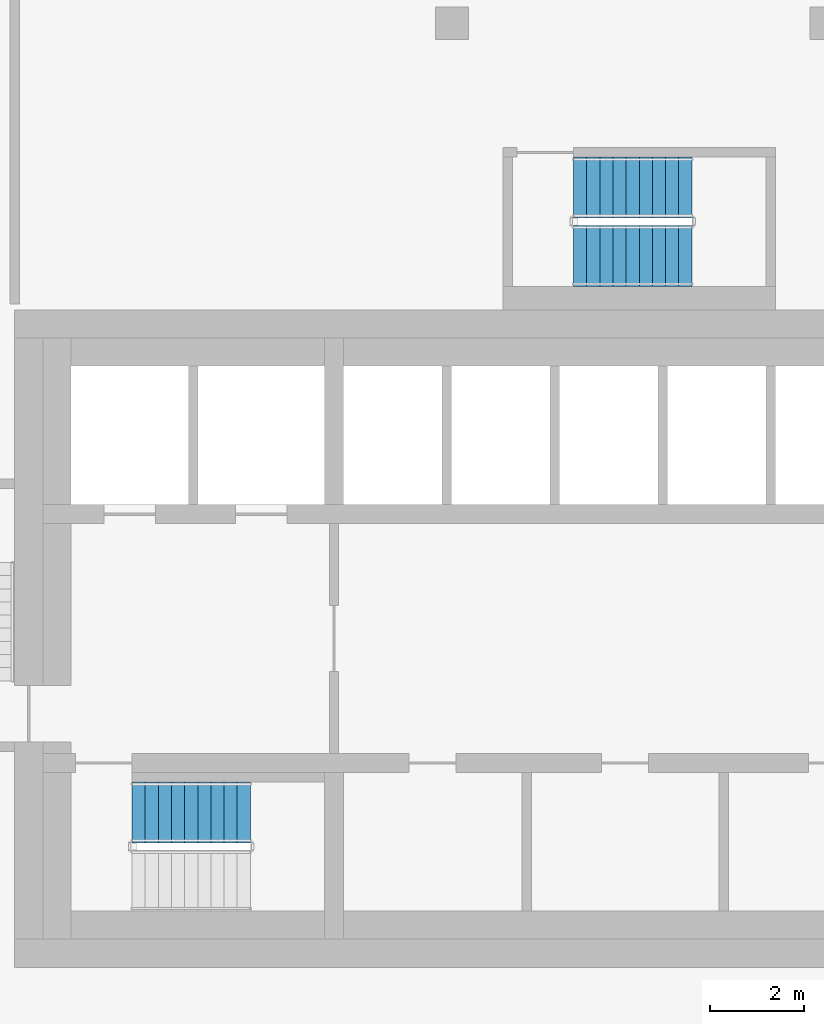
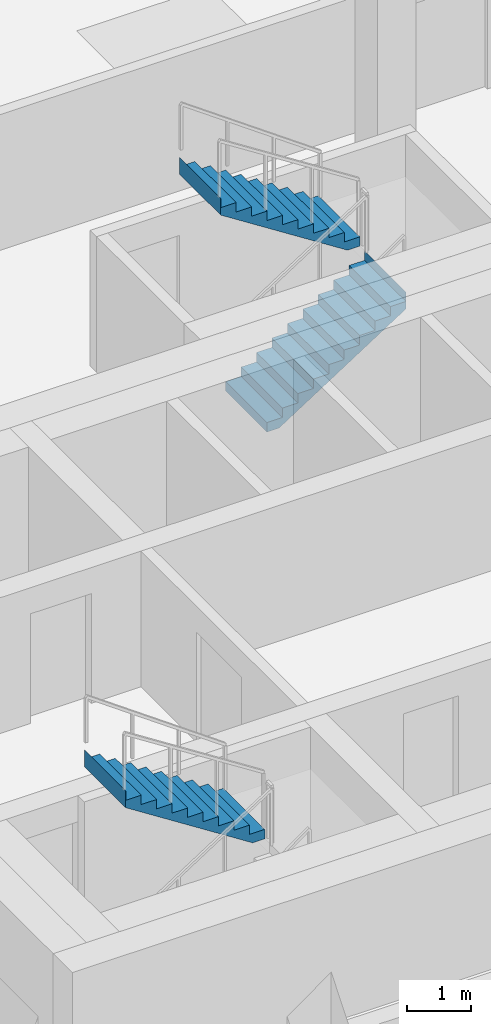
# One storey, part 18 of 24: 3 stair flights, 2 elements without a shape of their own.
"""IFC4 building model written with IfcOpenShell, lengths in metres."""

from ifc_helpers import new_model, si_unit, direction, frame, origin, place, context, subcontext, project, spatial, triangles, material, type_object, element, aggregate, save


model = new_model("IFC4")

# Units and contexts
model_context = context("Model", 3, precision=1e-05, world=origin(), true_north=direction((0.0, 1.0)))
body_context = subcontext(model_context, "Body", "Model", "MODEL_VIEW")
ifc_project = project(units=[si_unit("LENGTHUNIT", "METRE"), si_unit("AREAUNIT", "SQUARE_METRE"), si_unit("VOLUMEUNIT", "CUBIC_METRE"), si_unit("PLANEANGLEUNIT", "RADIAN"), si_unit("MASSUNIT", "GRAM", prefix="KILO")], contexts=[model_context])

# Site, building, storey
site_placement = place(None, origin())
site = spatial("IfcSite", under=ifc_project, at=site_placement, CompositionType="ELEMENT")
building_placement = place(site_placement, origin())
building = spatial("IfcBuilding", under=site, at=building_placement, Name="Beryl Residences", CompositionType="ELEMENT")
storey_placement = place(building_placement, frame((0.0, 0.0, 199.199951171875)))
storey = spatial("IfcBuildingStorey", under=building, at=storey_placement, Name="L61", CompositionType="ELEMENT", Elevation=199.199951171875)

# Stair, stair flight
ifc_material_1 = material(Name="Concrete C40/50", Category="concrete")
stair_type = type_object("IfcStairType", Name="ST1 protected exit stair, half-turn, 1300 mm flights", PredefinedType="HALF_TURN_STAIR", material=ifc_material_1)
stair_1_placement = place(storey_placement, origin())
stair_1 = element("IfcStair", 1, at=stair_1_placement, inside=storey, type_object=stair_type, Name="L61 PROTECTED EXIT STAIR ST-1", PredefinedType="HALF_TURN_STAIR")
ifc_material_2 = material(Name="Concrete C40/50", Category="concrete")
stair_flight_type = type_object("IfcStairFlightType", Name="SF1 stair flight 1300 mm", PredefinedType="STRAIGHT", material=ifc_material_2)
stair_flight_1_placement = place(storey_placement, frame((-8.280029296875, -15.699951171875, 1.800048828125), z_axis=(0.0, 0.0, 1.0), x_axis=(-1.0, 0.0, 0.0)))
stair_flight_1 = element("IfcStairFlight", 2, at=stair_flight_1_placement, type_object=stair_flight_type, Name="ST-1 flight 2", NumberOfRisers=10, NumberOfTreads=9, PredefinedType="STRAIGHT", RiserHeight=0.18, TreadLength=0.28, context=body_context, shape_type="Tessellation", body=[
    triangles([(0.0, -0.64990234375, 0.0), (0.0, -0.324951171875, 0.0), (0.0, 0.0, 0.0), (0.0, 0.324951171875, 0.0), (0.0, 0.64990234375, 0.0), (0.0, -0.64990234375, 0.179931640625), (0.0, -0.324951171875, 0.179931640625), (0.0, 0.0, 0.179931640625), (0.0, 0.324951171875, 0.179931640625), (0.0, 0.64990234375, 0.179931640625), (0.280029296875, -0.64990234375, 0.179931640625), (0.280029296875, -0.324951171875, 0.179931640625), (0.280029296875, 0.0, 0.179931640625), (0.280029296875, 0.324951171875, 0.179931640625), (0.280029296875, 0.64990234375, 0.179931640625), (0.280029296875, -0.64990234375, 0.360107421875), (0.280029296875, -0.324951171875, 0.360107421875), (0.280029296875, 0.0, 0.360107421875), (0.280029296875, 0.324951171875, 0.360107421875), (0.280029296875, 0.64990234375, 0.360107421875), (0.56005859375, -0.64990234375, 0.360107421875), (0.56005859375, -0.324951171875, 0.360107421875), (0.56005859375, 0.0, 0.360107421875), (0.56005859375, 0.324951171875, 0.360107421875), (0.56005859375, 0.64990234375, 0.360107421875), (0.56005859375, -0.64990234375, 0.5400390625), (0.56005859375, -0.324951171875, 0.5400390625), (0.56005859375, 0.0, 0.5400390625), (0.56005859375, 0.324951171875, 0.5400390625), (0.56005859375, 0.64990234375, 0.5400390625), (0.840087890625, -0.64990234375, 0.5400390625), (0.840087890625, -0.324951171875, 0.5400390625), (0.840087890625, 0.0, 0.5400390625), (0.840087890625, 0.324951171875, 0.5400390625), (0.840087890625, 0.64990234375, 0.5400390625), (0.840087890625, -0.64990234375, 0.719970703125), (0.840087890625, -0.324951171875, 0.719970703125), (0.840087890625, 0.0, 0.719970703125), (0.840087890625, 0.324951171875, 0.719970703125), (0.840087890625, 0.64990234375, 0.719970703125), (1.1201171875, -0.64990234375, 0.719970703125), (1.1201171875, -0.324951171875, 0.719970703125), (1.1201171875, 0.0, 0.719970703125), (1.1201171875, 0.324951171875, 0.719970703125), (1.1201171875, 0.64990234375, 0.719970703125), (1.1201171875, -0.64990234375, 0.89990234375), (1.1201171875, -0.324951171875, 0.89990234375), (1.1201171875, 0.0, 0.89990234375), (1.1201171875, 0.324951171875, 0.89990234375), (1.1201171875, 0.64990234375, 0.89990234375), (1.39990234375, -0.64990234375, 0.89990234375), (1.39990234375, -0.324951171875, 0.89990234375), (1.39990234375, 0.0, 0.89990234375), (1.39990234375, 0.324951171875, 0.89990234375), (1.39990234375, 0.64990234375, 0.89990234375), (1.39990234375, -0.64990234375, 1.080078125), (1.39990234375, -0.324951171875, 1.080078125), (1.39990234375, 0.0, 1.080078125), (1.39990234375, 0.324951171875, 1.080078125), (1.39990234375, 0.64990234375, 1.080078125), (1.679931640625, -0.64990234375, 1.080078125), (1.679931640625, -0.324951171875, 1.080078125), (1.679931640625, 0.0, 1.080078125), (1.679931640625, 0.324951171875, 1.080078125), (1.679931640625, 0.64990234375, 1.080078125), (1.679931640625, -0.64990234375, 1.260009765625), (1.679931640625, -0.324951171875, 1.260009765625), (1.679931640625, 0.0, 1.260009765625), (1.679931640625, 0.324951171875, 1.260009765625), (1.679931640625, 0.64990234375, 1.260009765625), (1.9599609375, -0.64990234375, 1.260009765625), (1.9599609375, -0.324951171875, 1.260009765625), (1.9599609375, 0.0, 1.260009765625), (1.9599609375, 0.324951171875, 1.260009765625), (1.9599609375, 0.64990234375, 1.260009765625), (1.9599609375, -0.64990234375, 1.43994140625), (1.9599609375, -0.324951171875, 1.43994140625), (1.9599609375, 0.0, 1.43994140625), (1.9599609375, 0.324951171875, 1.43994140625), (1.9599609375, 0.64990234375, 1.43994140625), (2.239990234375, -0.64990234375, 1.43994140625), (2.239990234375, -0.324951171875, 1.43994140625), (2.239990234375, 0.0, 1.43994140625), (2.239990234375, 0.324951171875, 1.43994140625), (2.239990234375, 0.64990234375, 1.43994140625), (2.239990234375, -0.64990234375, 1.6201171875), (2.239990234375, -0.324951171875, 1.6201171875), (2.239990234375, 0.0, 1.6201171875), (2.239990234375, 0.324951171875, 1.6201171875), (2.239990234375, 0.64990234375, 1.6201171875), (2.52001953125, -0.64990234375, 1.6201171875), (2.52001953125, -0.324951171875, 1.6201171875), (2.52001953125, 0.0, 1.6201171875), (2.52001953125, 0.324951171875, 1.6201171875), (2.52001953125, 0.64990234375, 1.6201171875), (2.52001953125, -0.64990234375, 1.800048828125), (2.52001953125, -0.324951171875, 1.800048828125), (2.52001953125, 0.0, 1.800048828125), (2.52001953125, 0.324951171875, 1.800048828125), (2.52001953125, 0.64990234375, 1.800048828125), (2.52099609375, -0.64990234375, 1.800048828125), (2.52099609375, -0.324951171875, 1.800048828125), (2.52099609375, 0.0, 1.800048828125), (2.52099609375, 0.324951171875, 1.800048828125), (2.52099609375, 0.64990234375, 1.800048828125), (2.52099609375, -0.64990234375, 1.477294921875), (2.52099609375, -0.324951171875, 1.477294921875), (2.52099609375, 0.0, 1.477294921875), (2.52099609375, 0.324951171875, 1.477294921875), (2.52099609375, 0.64990234375, 1.477294921875), (0.22314453125, -0.64990234375, 0.0), (0.22314453125, -0.324951171875, 0.0), (0.22314453125, 0.0, 0.0), (0.22314453125, 0.324951171875, 0.0), (0.22314453125, 0.64990234375, 0.0)], [[1, 6, 7], [1, 7, 2], [2, 7, 8], [2, 8, 3], [3, 8, 9], [3, 9, 4], [4, 9, 10], [4, 10, 5], [6, 11, 12], [6, 12, 7], [7, 12, 13], [7, 13, 8], [8, 13, 14], [8, 14, 9], [9, 14, 15], [9, 15, 10], [11, 16, 17], [11, 17, 12], [12, 17, 18], [12, 18, 13], [13, 18, 19], [13, 19, 14], [14, 19, 20], [14, 20, 15], [16, 21, 22], [16, 22, 17], [17, 22, 23], [17, 23, 18], [18, 23, 24], [18, 24, 19], [19, 24, 25], [19, 25, 20], [21, 26, 27], [21, 27, 22], [22, 27, 28], [22, 28, 23], [23, 28, 29], [23, 29, 24], [24, 29, 30], [24, 30, 25], [26, 31, 32], [26, 32, 27], [27, 32, 33], [27, 33, 28], [28, 33, 34], [28, 34, 29], [29, 34, 35], [29, 35, 30], [31, 36, 37], [31, 37, 32], [32, 37, 38], [32, 38, 33], [33, 38, 39], [33, 39, 34], [34, 39, 40], [34, 40, 35], [36, 41, 42], [36, 42, 37], [37, 42, 43], [37, 43, 38], [38, 43, 44], [38, 44, 39], [39, 44, 45], [39, 45, 40], [41, 46, 47], [41, 47, 42], [42, 47, 48], [42, 48, 43], [43, 48, 49], [43, 49, 44], [44, 49, 50], [44, 50, 45], [46, 51, 52], [46, 52, 47], [47, 52, 53], [47, 53, 48], [48, 53, 54], [48, 54, 49], [49, 54, 55], [49, 55, 50], [51, 56, 57], [51, 57, 52], [52, 57, 58], [52, 58, 53], [53, 58, 59], [53, 59, 54], [54, 59, 60], [54, 60, 55], [56, 61, 62], [56, 62, 57], [57, 62, 63], [57, 63, 58], [58, 63, 64], [58, 64, 59], [59, 64, 65], [59, 65, 60], [61, 66, 67], [61, 67, 62], [62, 67, 68], [62, 68, 63], [63, 68, 69], [63, 69, 64], [64, 69, 70], [64, 70, 65], [66, 71, 72], [66, 72, 67], [67, 72, 73], [67, 73, 68], [68, 73, 74], [68, 74, 69], [69, 74, 75], [69, 75, 70], [71, 76, 77], [71, 77, 72], [72, 77, 78], [72, 78, 73], [73, 78, 79], [73, 79, 74], [74, 79, 80], [74, 80, 75], [76, 81, 82], [76, 82, 77], [77, 82, 83], [77, 83, 78], [78, 83, 84], [78, 84, 79], [79, 84, 85], [79, 85, 80], [81, 86, 87], [81, 87, 82], [82, 87, 88], [82, 88, 83], [83, 88, 89], [83, 89, 84], [84, 89, 90], [84, 90, 85], [86, 91, 92], [86, 92, 87], [87, 92, 93], [87, 93, 88], [88, 93, 94], [88, 94, 89], [89, 94, 95], [89, 95, 90], [91, 96, 97], [91, 97, 92], [92, 97, 98], [92, 98, 93], [93, 98, 99], [93, 99, 94], [94, 99, 100], [94, 100, 95], [96, 101, 102], [96, 102, 97], [97, 102, 103], [97, 103, 98], [98, 103, 104], [98, 104, 99], [99, 104, 105], [99, 105, 100], [101, 106, 107], [101, 107, 102], [102, 107, 108], [102, 108, 103], [103, 108, 109], [103, 109, 104], [104, 109, 110], [104, 110, 105], [106, 111, 112], [106, 112, 107], [107, 112, 113], [107, 113, 108], [108, 113, 114], [108, 114, 109], [109, 114, 115], [109, 115, 110], [111, 1, 2], [111, 2, 112], [112, 2, 3], [112, 3, 113], [113, 3, 4], [113, 4, 114], [114, 4, 5], [114, 5, 115], [1, 111, 106], [5, 110, 115], [106, 101, 96], [110, 100, 105], [106, 96, 91], [110, 95, 100], [106, 91, 86], [110, 90, 95], [106, 86, 81], [110, 85, 90], [81, 76, 71], [85, 75, 80], [106, 81, 71], [110, 75, 85], [71, 66, 61], [75, 65, 70], [106, 71, 61], [110, 65, 75], [61, 56, 51], [65, 55, 60], [106, 61, 51], [110, 55, 65], [51, 46, 41], [55, 45, 50], [106, 51, 41], [110, 45, 55], [41, 36, 31], [45, 35, 40], [106, 41, 31], [110, 35, 45], [31, 26, 21], [35, 25, 30], [106, 31, 21], [110, 25, 35], [21, 16, 11], [25, 15, 20], [106, 21, 11], [110, 15, 25], [1, 106, 11], [5, 15, 110], [11, 6, 1], [15, 5, 10]], closed=True),
])
aggregate(stair_1, [stair_flight_1])

# Stair, stair flights
stair_2_placement = place(storey_placement, origin())
stair_2 = element("IfcStair", 3, at=stair_2_placement, inside=storey, type_object=stair_type, Name="L61 PROTECTED EXIT STAIR ST-4", PredefinedType="HALF_TURN_STAIR")
stair_flight_2_placement = place(storey_placement, frame((-1.39990234375, -3.85009765625, 0.0), z_axis=(0.0, 0.0, 1.0), x_axis=(1.0, 0.0, 0.0)))
stair_flight_2 = element("IfcStairFlight", 4, at=stair_flight_2_placement, type_object=stair_flight_type, Name="ST-4 flight 1", NumberOfRisers=10, NumberOfTreads=9, PredefinedType="STRAIGHT", RiserHeight=0.18, TreadLength=0.28, context=body_context, shape_type="Tessellation", body=[
    triangles([(0.0, -0.64990234375, 0.0), (0.0, -0.324951171875, 0.0), (0.0, 0.0, 0.0), (0.0, 0.324951171875, 0.0), (0.0, 0.64990234375, 0.0), (0.0, -0.64990234375, 0.179931640625), (0.0, -0.324951171875, 0.179931640625), (0.0, 0.0, 0.179931640625), (0.0, 0.324951171875, 0.179931640625), (0.0, 0.64990234375, 0.179931640625), (0.280029296875, -0.64990234375, 0.179931640625), (0.280029296875, -0.324951171875, 0.179931640625), (0.280029296875, 0.0, 0.179931640625), (0.280029296875, 0.324951171875, 0.179931640625), (0.280029296875, 0.64990234375, 0.179931640625), (0.280029296875, -0.64990234375, 0.360107421875), (0.280029296875, -0.324951171875, 0.360107421875), (0.280029296875, 0.0, 0.360107421875), (0.280029296875, 0.324951171875, 0.360107421875), (0.280029296875, 0.64990234375, 0.360107421875), (0.56005859375, -0.64990234375, 0.360107421875), (0.56005859375, -0.324951171875, 0.360107421875), (0.56005859375, 0.0, 0.360107421875), (0.56005859375, 0.324951171875, 0.360107421875), (0.56005859375, 0.64990234375, 0.360107421875), (0.56005859375, -0.64990234375, 0.5400390625), (0.56005859375, -0.324951171875, 0.5400390625), (0.56005859375, 0.0, 0.5400390625), (0.56005859375, 0.324951171875, 0.5400390625), (0.56005859375, 0.64990234375, 0.5400390625), (0.840087890625, -0.64990234375, 0.5400390625), (0.840087890625, -0.324951171875, 0.5400390625), (0.840087890625, 0.0, 0.5400390625), (0.840087890625, 0.324951171875, 0.5400390625), (0.840087890625, 0.64990234375, 0.5400390625), (0.840087890625, -0.64990234375, 0.719970703125), (0.840087890625, -0.324951171875, 0.719970703125), (0.840087890625, 0.0, 0.719970703125), (0.840087890625, 0.324951171875, 0.719970703125), (0.840087890625, 0.64990234375, 0.719970703125), (1.1201171875, -0.64990234375, 0.719970703125), (1.1201171875, -0.324951171875, 0.719970703125), (1.1201171875, 0.0, 0.719970703125), (1.1201171875, 0.324951171875, 0.719970703125), (1.1201171875, 0.64990234375, 0.719970703125), (1.1201171875, -0.64990234375, 0.89990234375), (1.1201171875, -0.324951171875, 0.89990234375), (1.1201171875, 0.0, 0.89990234375), (1.1201171875, 0.324951171875, 0.89990234375), (1.1201171875, 0.64990234375, 0.89990234375), (1.39990234375, -0.64990234375, 0.89990234375), (1.39990234375, -0.324951171875, 0.89990234375), (1.39990234375, 0.0, 0.89990234375), (1.39990234375, 0.324951171875, 0.89990234375), (1.39990234375, 0.64990234375, 0.89990234375), (1.39990234375, -0.64990234375, 1.080078125), (1.39990234375, -0.324951171875, 1.080078125), (1.39990234375, 0.0, 1.080078125), (1.39990234375, 0.324951171875, 1.080078125), (1.39990234375, 0.64990234375, 1.080078125), (1.679931640625, -0.64990234375, 1.080078125), (1.679931640625, -0.324951171875, 1.080078125), (1.679931640625, 0.0, 1.080078125), (1.679931640625, 0.324951171875, 1.080078125), (1.679931640625, 0.64990234375, 1.080078125), (1.679931640625, -0.64990234375, 1.260009765625), (1.679931640625, -0.324951171875, 1.260009765625), (1.679931640625, 0.0, 1.260009765625), (1.679931640625, 0.324951171875, 1.260009765625), (1.679931640625, 0.64990234375, 1.260009765625), (1.9599609375, -0.64990234375, 1.260009765625), (1.9599609375, -0.324951171875, 1.260009765625), (1.9599609375, 0.0, 1.260009765625), (1.9599609375, 0.324951171875, 1.260009765625), (1.9599609375, 0.64990234375, 1.260009765625), (1.9599609375, -0.64990234375, 1.43994140625), (1.9599609375, -0.324951171875, 1.43994140625), (1.9599609375, 0.0, 1.43994140625), (1.9599609375, 0.324951171875, 1.43994140625), (1.9599609375, 0.64990234375, 1.43994140625), (2.239990234375, -0.64990234375, 1.43994140625), (2.239990234375, -0.324951171875, 1.43994140625), (2.239990234375, 0.0, 1.43994140625), (2.239990234375, 0.324951171875, 1.43994140625), (2.239990234375, 0.64990234375, 1.43994140625), (2.239990234375, -0.64990234375, 1.6201171875), (2.239990234375, -0.324951171875, 1.6201171875), (2.239990234375, 0.0, 1.6201171875), (2.239990234375, 0.324951171875, 1.6201171875), (2.239990234375, 0.64990234375, 1.6201171875), (2.52001953125, -0.64990234375, 1.6201171875), (2.52001953125, -0.324951171875, 1.6201171875), (2.52001953125, 0.0, 1.6201171875), (2.52001953125, 0.324951171875, 1.6201171875), (2.52001953125, 0.64990234375, 1.6201171875), (2.52001953125, -0.64990234375, 1.800048828125), (2.52001953125, -0.324951171875, 1.800048828125), (2.52001953125, 0.0, 1.800048828125), (2.52001953125, 0.324951171875, 1.800048828125), (2.52001953125, 0.64990234375, 1.800048828125), (2.52099609375, -0.64990234375, 1.800048828125), (2.52099609375, -0.324951171875, 1.800048828125), (2.52099609375, 0.0, 1.800048828125), (2.52099609375, 0.324951171875, 1.800048828125), (2.52099609375, 0.64990234375, 1.800048828125), (2.52099609375, -0.64990234375, 1.477294921875), (2.52099609375, -0.324951171875, 1.477294921875), (2.52099609375, 0.0, 1.477294921875), (2.52099609375, 0.324951171875, 1.477294921875), (2.52099609375, 0.64990234375, 1.477294921875), (0.22314453125, -0.64990234375, 0.0), (0.22314453125, -0.324951171875, 0.0), (0.22314453125, 0.0, 0.0), (0.22314453125, 0.324951171875, 0.0), (0.22314453125, 0.64990234375, 0.0)], [[1, 6, 7], [1, 7, 2], [2, 7, 8], [2, 8, 3], [3, 8, 9], [3, 9, 4], [4, 9, 10], [4, 10, 5], [6, 11, 12], [6, 12, 7], [7, 12, 13], [7, 13, 8], [8, 13, 14], [8, 14, 9], [9, 14, 15], [9, 15, 10], [11, 16, 17], [11, 17, 12], [12, 17, 18], [12, 18, 13], [13, 18, 19], [13, 19, 14], [14, 19, 20], [14, 20, 15], [16, 21, 22], [16, 22, 17], [17, 22, 23], [17, 23, 18], [18, 23, 24], [18, 24, 19], [19, 24, 25], [19, 25, 20], [21, 26, 27], [21, 27, 22], [22, 27, 28], [22, 28, 23], [23, 28, 29], [23, 29, 24], [24, 29, 30], [24, 30, 25], [26, 31, 32], [26, 32, 27], [27, 32, 33], [27, 33, 28], [28, 33, 34], [28, 34, 29], [29, 34, 35], [29, 35, 30], [31, 36, 37], [31, 37, 32], [32, 37, 38], [32, 38, 33], [33, 38, 39], [33, 39, 34], [34, 39, 40], [34, 40, 35], [36, 41, 42], [36, 42, 37], [37, 42, 43], [37, 43, 38], [38, 43, 44], [38, 44, 39], [39, 44, 45], [39, 45, 40], [41, 46, 47], [41, 47, 42], [42, 47, 48], [42, 48, 43], [43, 48, 49], [43, 49, 44], [44, 49, 50], [44, 50, 45], [46, 51, 52], [46, 52, 47], [47, 52, 53], [47, 53, 48], [48, 53, 54], [48, 54, 49], [49, 54, 55], [49, 55, 50], [51, 56, 57], [51, 57, 52], [52, 57, 58], [52, 58, 53], [53, 58, 59], [53, 59, 54], [54, 59, 60], [54, 60, 55], [56, 61, 62], [56, 62, 57], [57, 62, 63], [57, 63, 58], [58, 63, 64], [58, 64, 59], [59, 64, 65], [59, 65, 60], [61, 66, 67], [61, 67, 62], [62, 67, 68], [62, 68, 63], [63, 68, 69], [63, 69, 64], [64, 69, 70], [64, 70, 65], [66, 71, 72], [66, 72, 67], [67, 72, 73], [67, 73, 68], [68, 73, 74], [68, 74, 69], [69, 74, 75], [69, 75, 70], [71, 76, 77], [71, 77, 72], [72, 77, 78], [72, 78, 73], [73, 78, 79], [73, 79, 74], [74, 79, 80], [74, 80, 75], [76, 81, 82], [76, 82, 77], [77, 82, 83], [77, 83, 78], [78, 83, 84], [78, 84, 79], [79, 84, 85], [79, 85, 80], [81, 86, 87], [81, 87, 82], [82, 87, 88], [82, 88, 83], [83, 88, 89], [83, 89, 84], [84, 89, 90], [84, 90, 85], [86, 91, 92], [86, 92, 87], [87, 92, 93], [87, 93, 88], [88, 93, 94], [88, 94, 89], [89, 94, 95], [89, 95, 90], [91, 96, 97], [91, 97, 92], [92, 97, 98], [92, 98, 93], [93, 98, 99], [93, 99, 94], [94, 99, 100], [94, 100, 95], [96, 101, 102], [96, 102, 97], [97, 102, 103], [97, 103, 98], [98, 103, 104], [98, 104, 99], [99, 104, 105], [99, 105, 100], [101, 106, 107], [101, 107, 102], [102, 107, 108], [102, 108, 103], [103, 108, 109], [103, 109, 104], [104, 109, 110], [104, 110, 105], [106, 111, 112], [106, 112, 107], [107, 112, 113], [107, 113, 108], [108, 113, 114], [108, 114, 109], [109, 114, 115], [109, 115, 110], [111, 1, 2], [111, 2, 112], [112, 2, 3], [112, 3, 113], [113, 3, 4], [113, 4, 114], [114, 4, 5], [114, 5, 115], [1, 111, 106], [5, 110, 115], [106, 101, 96], [110, 100, 105], [106, 96, 91], [110, 95, 100], [106, 91, 86], [110, 90, 95], [106, 86, 81], [110, 85, 90], [81, 76, 71], [85, 75, 80], [106, 81, 71], [110, 75, 85], [71, 66, 61], [75, 65, 70], [106, 71, 61], [110, 65, 75], [61, 56, 51], [65, 55, 60], [106, 61, 51], [110, 55, 65], [51, 46, 41], [55, 45, 50], [106, 51, 41], [110, 45, 55], [41, 36, 31], [45, 35, 40], [106, 41, 31], [110, 35, 45], [31, 26, 21], [35, 25, 30], [106, 31, 21], [110, 25, 35], [21, 16, 11], [25, 15, 20], [106, 21, 11], [110, 15, 25], [1, 106, 11], [5, 15, 110], [11, 6, 1], [15, 5, 10]], closed=True),
])
stair_flight_3_placement = place(storey_placement, frame((1.1201171875, -2.39990234375, 1.800048828125), z_axis=(0.0, 0.0, 1.0), x_axis=(-1.0, 0.0, 0.0)))
stair_flight_3 = element("IfcStairFlight", 5, at=stair_flight_3_placement, type_object=stair_flight_type, Name="ST-4 flight 2", NumberOfRisers=10, NumberOfTreads=9, PredefinedType="STRAIGHT", RiserHeight=0.18, TreadLength=0.28, context=body_context, shape_type="Tessellation", body=[
    triangles([(0.0, -0.64990234375, 0.0), (0.0, -0.324951171875, 0.0), (0.0, 0.0, 0.0), (0.0, 0.324951171875, 0.0), (0.0, 0.64990234375, 0.0), (0.0, -0.64990234375, 0.179931640625), (0.0, -0.324951171875, 0.179931640625), (0.0, 0.0, 0.179931640625), (0.0, 0.324951171875, 0.179931640625), (0.0, 0.64990234375, 0.179931640625), (0.280029296875, -0.64990234375, 0.179931640625), (0.280029296875, -0.324951171875, 0.179931640625), (0.280029296875, 0.0, 0.179931640625), (0.280029296875, 0.324951171875, 0.179931640625), (0.280029296875, 0.64990234375, 0.179931640625), (0.280029296875, -0.64990234375, 0.360107421875), (0.280029296875, -0.324951171875, 0.360107421875), (0.280029296875, 0.0, 0.360107421875), (0.280029296875, 0.324951171875, 0.360107421875), (0.280029296875, 0.64990234375, 0.360107421875), (0.56005859375, -0.64990234375, 0.360107421875), (0.56005859375, -0.324951171875, 0.360107421875), (0.56005859375, 0.0, 0.360107421875), (0.56005859375, 0.324951171875, 0.360107421875), (0.56005859375, 0.64990234375, 0.360107421875), (0.56005859375, -0.64990234375, 0.5400390625), (0.56005859375, -0.324951171875, 0.5400390625), (0.56005859375, 0.0, 0.5400390625), (0.56005859375, 0.324951171875, 0.5400390625), (0.56005859375, 0.64990234375, 0.5400390625), (0.840087890625, -0.64990234375, 0.5400390625), (0.840087890625, -0.324951171875, 0.5400390625), (0.840087890625, 0.0, 0.5400390625), (0.840087890625, 0.324951171875, 0.5400390625), (0.840087890625, 0.64990234375, 0.5400390625), (0.840087890625, -0.64990234375, 0.719970703125), (0.840087890625, -0.324951171875, 0.719970703125), (0.840087890625, 0.0, 0.719970703125), (0.840087890625, 0.324951171875, 0.719970703125), (0.840087890625, 0.64990234375, 0.719970703125), (1.1201171875, -0.64990234375, 0.719970703125), (1.1201171875, -0.324951171875, 0.719970703125), (1.1201171875, 0.0, 0.719970703125), (1.1201171875, 0.324951171875, 0.719970703125), (1.1201171875, 0.64990234375, 0.719970703125), (1.1201171875, -0.64990234375, 0.89990234375), (1.1201171875, -0.324951171875, 0.89990234375), (1.1201171875, 0.0, 0.89990234375), (1.1201171875, 0.324951171875, 0.89990234375), (1.1201171875, 0.64990234375, 0.89990234375), (1.39990234375, -0.64990234375, 0.89990234375), (1.39990234375, -0.324951171875, 0.89990234375), (1.39990234375, 0.0, 0.89990234375), (1.39990234375, 0.324951171875, 0.89990234375), (1.39990234375, 0.64990234375, 0.89990234375), (1.39990234375, -0.64990234375, 1.080078125), (1.39990234375, -0.324951171875, 1.080078125), (1.39990234375, 0.0, 1.080078125), (1.39990234375, 0.324951171875, 1.080078125), (1.39990234375, 0.64990234375, 1.080078125), (1.679931640625, -0.64990234375, 1.080078125), (1.679931640625, -0.324951171875, 1.080078125), (1.679931640625, 0.0, 1.080078125), (1.679931640625, 0.324951171875, 1.080078125), (1.679931640625, 0.64990234375, 1.080078125), (1.679931640625, -0.64990234375, 1.260009765625), (1.679931640625, -0.324951171875, 1.260009765625), (1.679931640625, 0.0, 1.260009765625), (1.679931640625, 0.324951171875, 1.260009765625), (1.679931640625, 0.64990234375, 1.260009765625), (1.9599609375, -0.64990234375, 1.260009765625), (1.9599609375, -0.324951171875, 1.260009765625), (1.9599609375, 0.0, 1.260009765625), (1.9599609375, 0.324951171875, 1.260009765625), (1.9599609375, 0.64990234375, 1.260009765625), (1.9599609375, -0.64990234375, 1.43994140625), (1.9599609375, -0.324951171875, 1.43994140625), (1.9599609375, 0.0, 1.43994140625), (1.9599609375, 0.324951171875, 1.43994140625), (1.9599609375, 0.64990234375, 1.43994140625), (2.239990234375, -0.64990234375, 1.43994140625), (2.239990234375, -0.324951171875, 1.43994140625), (2.239990234375, 0.0, 1.43994140625), (2.239990234375, 0.324951171875, 1.43994140625), (2.239990234375, 0.64990234375, 1.43994140625), (2.239990234375, -0.64990234375, 1.6201171875), (2.239990234375, -0.324951171875, 1.6201171875), (2.239990234375, 0.0, 1.6201171875), (2.239990234375, 0.324951171875, 1.6201171875), (2.239990234375, 0.64990234375, 1.6201171875), (2.52001953125, -0.64990234375, 1.6201171875), (2.52001953125, -0.324951171875, 1.6201171875), (2.52001953125, 0.0, 1.6201171875), (2.52001953125, 0.324951171875, 1.6201171875), (2.52001953125, 0.64990234375, 1.6201171875), (2.52001953125, -0.64990234375, 1.800048828125), (2.52001953125, -0.324951171875, 1.800048828125), (2.52001953125, 0.0, 1.800048828125), (2.52001953125, 0.324951171875, 1.800048828125), (2.52001953125, 0.64990234375, 1.800048828125), (2.52099609375, -0.64990234375, 1.800048828125), (2.52099609375, -0.324951171875, 1.800048828125), (2.52099609375, 0.0, 1.800048828125), (2.52099609375, 0.324951171875, 1.800048828125), (2.52099609375, 0.64990234375, 1.800048828125), (2.52099609375, -0.64990234375, 1.477294921875), (2.52099609375, -0.324951171875, 1.477294921875), (2.52099609375, 0.0, 1.477294921875), (2.52099609375, 0.324951171875, 1.477294921875), (2.52099609375, 0.64990234375, 1.477294921875), (0.22314453125, -0.64990234375, 0.0), (0.22314453125, -0.324951171875, 0.0), (0.22314453125, 0.0, 0.0), (0.22314453125, 0.324951171875, 0.0), (0.22314453125, 0.64990234375, 0.0)], [[1, 6, 7], [1, 7, 2], [2, 7, 8], [2, 8, 3], [3, 8, 9], [3, 9, 4], [4, 9, 10], [4, 10, 5], [6, 11, 12], [6, 12, 7], [7, 12, 13], [7, 13, 8], [8, 13, 14], [8, 14, 9], [9, 14, 15], [9, 15, 10], [11, 16, 17], [11, 17, 12], [12, 17, 18], [12, 18, 13], [13, 18, 19], [13, 19, 14], [14, 19, 20], [14, 20, 15], [16, 21, 22], [16, 22, 17], [17, 22, 23], [17, 23, 18], [18, 23, 24], [18, 24, 19], [19, 24, 25], [19, 25, 20], [21, 26, 27], [21, 27, 22], [22, 27, 28], [22, 28, 23], [23, 28, 29], [23, 29, 24], [24, 29, 30], [24, 30, 25], [26, 31, 32], [26, 32, 27], [27, 32, 33], [27, 33, 28], [28, 33, 34], [28, 34, 29], [29, 34, 35], [29, 35, 30], [31, 36, 37], [31, 37, 32], [32, 37, 38], [32, 38, 33], [33, 38, 39], [33, 39, 34], [34, 39, 40], [34, 40, 35], [36, 41, 42], [36, 42, 37], [37, 42, 43], [37, 43, 38], [38, 43, 44], [38, 44, 39], [39, 44, 45], [39, 45, 40], [41, 46, 47], [41, 47, 42], [42, 47, 48], [42, 48, 43], [43, 48, 49], [43, 49, 44], [44, 49, 50], [44, 50, 45], [46, 51, 52], [46, 52, 47], [47, 52, 53], [47, 53, 48], [48, 53, 54], [48, 54, 49], [49, 54, 55], [49, 55, 50], [51, 56, 57], [51, 57, 52], [52, 57, 58], [52, 58, 53], [53, 58, 59], [53, 59, 54], [54, 59, 60], [54, 60, 55], [56, 61, 62], [56, 62, 57], [57, 62, 63], [57, 63, 58], [58, 63, 64], [58, 64, 59], [59, 64, 65], [59, 65, 60], [61, 66, 67], [61, 67, 62], [62, 67, 68], [62, 68, 63], [63, 68, 69], [63, 69, 64], [64, 69, 70], [64, 70, 65], [66, 71, 72], [66, 72, 67], [67, 72, 73], [67, 73, 68], [68, 73, 74], [68, 74, 69], [69, 74, 75], [69, 75, 70], [71, 76, 77], [71, 77, 72], [72, 77, 78], [72, 78, 73], [73, 78, 79], [73, 79, 74], [74, 79, 80], [74, 80, 75], [76, 81, 82], [76, 82, 77], [77, 82, 83], [77, 83, 78], [78, 83, 84], [78, 84, 79], [79, 84, 85], [79, 85, 80], [81, 86, 87], [81, 87, 82], [82, 87, 88], [82, 88, 83], [83, 88, 89], [83, 89, 84], [84, 89, 90], [84, 90, 85], [86, 91, 92], [86, 92, 87], [87, 92, 93], [87, 93, 88], [88, 93, 94], [88, 94, 89], [89, 94, 95], [89, 95, 90], [91, 96, 97], [91, 97, 92], [92, 97, 98], [92, 98, 93], [93, 98, 99], [93, 99, 94], [94, 99, 100], [94, 100, 95], [96, 101, 102], [96, 102, 97], [97, 102, 103], [97, 103, 98], [98, 103, 104], [98, 104, 99], [99, 104, 105], [99, 105, 100], [101, 106, 107], [101, 107, 102], [102, 107, 108], [102, 108, 103], [103, 108, 109], [103, 109, 104], [104, 109, 110], [104, 110, 105], [106, 111, 112], [106, 112, 107], [107, 112, 113], [107, 113, 108], [108, 113, 114], [108, 114, 109], [109, 114, 115], [109, 115, 110], [111, 1, 2], [111, 2, 112], [112, 2, 3], [112, 3, 113], [113, 3, 4], [113, 4, 114], [114, 4, 5], [114, 5, 115], [1, 111, 106], [5, 110, 115], [106, 101, 96], [110, 100, 105], [106, 96, 91], [110, 95, 100], [106, 91, 86], [110, 90, 95], [106, 86, 81], [110, 85, 90], [81, 76, 71], [85, 75, 80], [106, 81, 71], [110, 75, 85], [71, 66, 61], [75, 65, 70], [106, 71, 61], [110, 65, 75], [61, 56, 51], [65, 55, 60], [106, 61, 51], [110, 55, 65], [51, 46, 41], [55, 45, 50], [106, 51, 41], [110, 45, 55], [41, 36, 31], [45, 35, 40], [106, 41, 31], [110, 35, 45], [31, 26, 21], [35, 25, 30], [106, 31, 21], [110, 25, 35], [21, 16, 11], [25, 15, 20], [106, 21, 11], [110, 15, 25], [1, 106, 11], [5, 15, 110], [11, 6, 1], [15, 5, 10]], closed=True),
])
aggregate(stair_2, [stair_flight_2, stair_flight_3])

save(model, "model.ifc")
